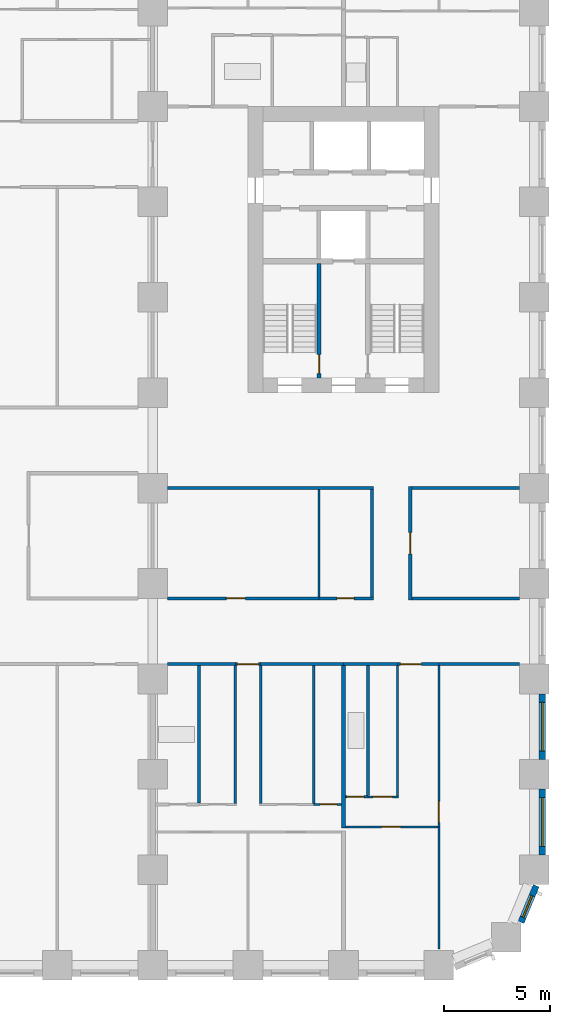
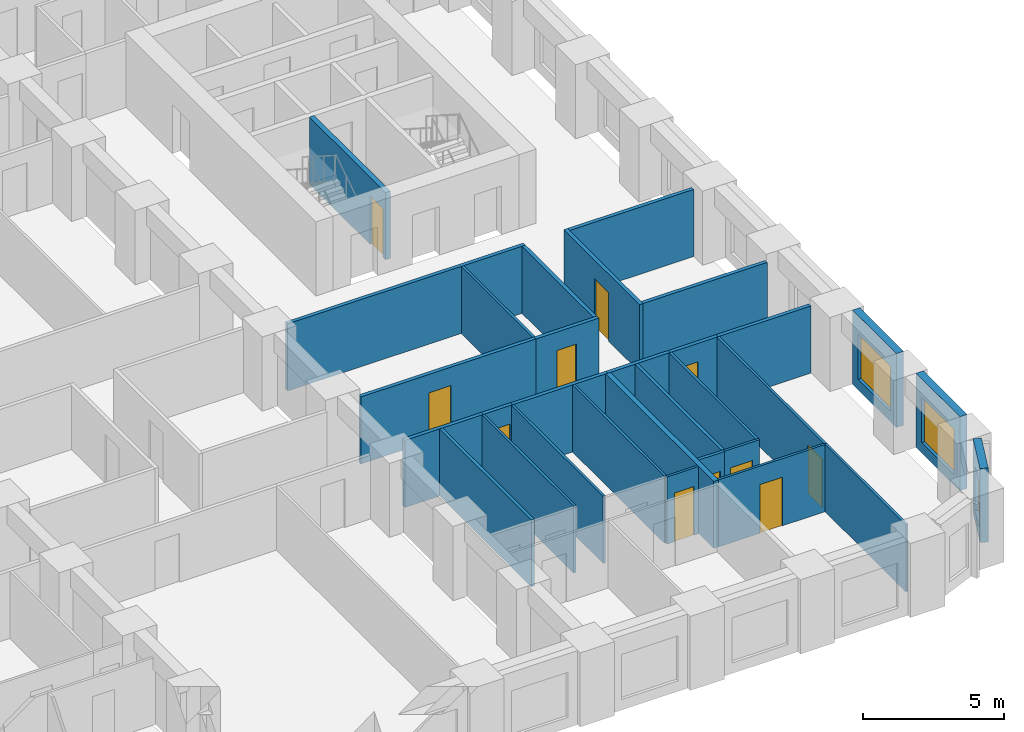
# One storey, part 5 of 13: 31 walls, 11 doors, 3 windows, 14 openings.
"""IFC4 building model written with IfcOpenShell, lengths in metres."""

from ifc_helpers import new_model, si_unit, direction, frame, frame_2d, origin, place, context, subcontext, project, spatial, rectangle, extrude, material, layer, layer_set, type_object, element, fill, save


model = new_model("IFC4")

# Units and contexts
model_context = context("Model", 3, precision=1e-05, world=origin(), true_north=direction((0.0, 1.0)))
body_context = subcontext(model_context, "Body", "Model", "MODEL_VIEW")
ifc_project = project(units=[si_unit("LENGTHUNIT", "METRE"), si_unit("AREAUNIT", "SQUARE_METRE"), si_unit("VOLUMEUNIT", "CUBIC_METRE"), si_unit("PLANEANGLEUNIT", "RADIAN"), si_unit("MASSUNIT", "GRAM", prefix="KILO")], contexts=[model_context])

# Site, building, storey
site_placement = place(None, origin())
site = spatial("IfcSite", under=ifc_project, at=site_placement, CompositionType="ELEMENT")
building_placement = place(site_placement, origin())
building = spatial("IfcBuilding", under=site, at=building_placement, Name="Girih Gate Residences", CompositionType="ELEMENT")
storey_placement = place(building_placement, frame((0.0, 0.0, 49.60009765625)))
storey = spatial("IfcBuildingStorey", under=building, at=storey_placement, Name="L12", CompositionType="ELEMENT", Elevation=49.60009765625)

# Wall
ifc_material_1 = material(Name="Gypsum board on steel studs", Category="steel")
ifc_layer_1 = layer(ifc_material_1, 0.14990234375)
ifc_layer_set_1 = layer_set([ifc_layer_1], Name="Compartment wall 150 mm")
wall_type_1 = type_object("IfcWallType", Name="Compartment wall 150 mm", PredefinedType="PARTITIONING", material=ifc_layer_set_1)
wall_1_placement = place(storey_placement, frame((40.5, 14.199951171875, 0.0), z_axis=(0.0, 0.0, 1.0), x_axis=(1.0, 0.0, 0.0)))
element("IfcWall", 1, at=wall_1_placement, inside=storey, type_object=wall_type_1, Name="L12 partition", PredefinedType="PARTITIONING", context=body_context, shape_type="SweptSolid", body=[
    extrude(rectangle(XDim=2.550048828125, YDim=0.14990234375, at=frame_2d((1.27490234375, 0.0))), origin(), (0.0, 0.0, 1.0), 2.89990234375),
])

# Wall, opening, door
wall_2_placement = place(storey_placement, frame((45.0, 14.199951171875, 0.0), z_axis=(0.0, 0.0, 1.0), x_axis=(-1.0, 0.0, 0.0)))
wall_2 = element("IfcWall", 2, at=wall_2_placement, inside=storey, type_object=wall_type_1, Name="L12 partition", PredefinedType="PARTITIONING", context=body_context, shape_type="SweptSolid", body=[
    extrude(rectangle(XDim=1.949951171875, YDim=0.14990234375, at=frame_2d((0.97509765625, 0.0))), origin(), (0.0, 0.0, 1.0), 2.89990234375),
])
opening_1_placement = place(wall_2_placement, frame((0.820068359375, 0.0, 0.0)))
opening_1 = element("IfcOpeningElement", 3, at=opening_1_placement, cuts=wall_2, Name="Opening A12-021", PredefinedType="OPENING", context=body_context, shape_type="SweptSolid", body=[
    extrude(rectangle(XDim=1.0, YDim=2.10009765625, at=frame_2d((0.5, 1.050048828125))), frame((0.0, 0.0849609375, 0.0), z_axis=(0.0, -1.0, 0.0), x_axis=(1.0, 0.0, 0.0)), (0.0, 0.0, 1.0), 0.169921875),
])
ifc_material_2 = material(Name="Timber, fire-rated core", Category="wood")
door_type_1 = type_object("IfcDoorType", Name="Flat entrance door 1000x2100 FD30S", OperationType="NOTDEFINED", PredefinedType="DOOR", material=ifc_material_2)
door_1_placement = place(opening_1_placement, origin())
door_1 = element("IfcDoor", 4, at=door_1_placement, inside=storey, type_object=door_type_1, Name="Door A12-021", OperationType="SINGLE_SWING_RIGHT", OverallHeight=2.10009765625, OverallWidth=1.0, PredefinedType="DOOR", context=body_context, shape_type="SweptSolid", body=[
    extrude(rectangle(XDim=1.0, YDim=2.10009765625, at=frame_2d((0.5, 1.050048828125))), frame((0.0, 0.02490234375, 0.0), z_axis=(0.0, -1.0, 0.0), x_axis=(1.0, 0.0, 0.0)), (0.0, 0.0, 1.0), 0.050048828125),
])
fill(opening_1, door_1)

# Walls
wall_3_placement = place(storey_placement, frame((45.0, 14.199951171875, 0.0), z_axis=(0.0, 0.0, 1.0), x_axis=(1.0, 0.0, 0.0)))
element("IfcWall", 5, at=wall_3_placement, inside=storey, type_object=wall_type_1, Name="L12 partition", PredefinedType="PARTITIONING", context=body_context, shape_type="SweptSolid", body=[
    extrude(rectangle(XDim=3.800048828125, YDim=0.14990234375, at=frame_2d((1.89990234375, 0.0))), origin(), (0.0, 0.0, 1.0), 2.89990234375),
])
wall_4_placement = place(storey_placement, frame((32.199951171875, 14.199951171875, 0.0), z_axis=(0.0, 0.0, 1.0), x_axis=(1.0, 0.0, 0.0)))
element("IfcWall", 6, at=wall_4_placement, inside=storey, type_object=wall_type_1, Name="L12 partition", PredefinedType="PARTITIONING", context=body_context, shape_type="SweptSolid", body=[
    extrude(rectangle(XDim=3.199951171875, YDim=0.14990234375, at=frame_2d((1.60009765625, 0.0))), origin(), (0.0, 0.0, 1.0), 2.89990234375),
])

# Wall, opening, door
wall_5_placement = place(storey_placement, frame((36.60009765625, 14.199951171875, 0.0), z_axis=(0.0, 0.0, 1.0), x_axis=(-1.0, 0.0, 0.0)))
wall_5 = element("IfcWall", 7, at=wall_5_placement, inside=storey, type_object=wall_type_1, Name="L12 partition", PredefinedType="PARTITIONING", context=body_context, shape_type="SweptSolid", body=[
    extrude(rectangle(XDim=1.2001953125, YDim=0.14990234375, at=frame_2d((0.60009765625, 0.0))), origin(), (0.0, 0.0, 1.0), 2.89990234375),
])
opening_2_placement = place(wall_5_placement, frame((0.10009765625, 0.0, 0.0)))
opening_2 = element("IfcOpeningElement", 8, at=opening_2_placement, cuts=wall_5, Name="Opening A12-028", PredefinedType="OPENING", context=body_context, shape_type="SweptSolid", body=[
    extrude(rectangle(XDim=1.0, YDim=2.10009765625, at=frame_2d((0.5, 1.050048828125))), frame((0.0, 0.0849609375, 0.0), z_axis=(0.0, -1.0, 0.0), x_axis=(1.0, 0.0, 0.0)), (0.0, 0.0, 1.0), 0.169921875),
])
door_2_placement = place(opening_2_placement, origin())
door_2 = element("IfcDoor", 9, at=door_2_placement, inside=storey, type_object=door_type_1, Name="Door A12-028", OperationType="SINGLE_SWING_RIGHT", OverallHeight=2.10009765625, OverallWidth=1.0, PredefinedType="DOOR", context=body_context, shape_type="SweptSolid", body=[
    extrude(rectangle(XDim=1.0, YDim=2.10009765625, at=frame_2d((0.5, 1.050048828125))), frame((0.0, 0.02490234375, 0.0), z_axis=(0.0, -1.0, 0.0), x_axis=(1.0, 0.0, 0.0)), (0.0, 0.0, 1.0), 0.050048828125),
])
fill(opening_2, door_2)

# Wall
wall_6_placement = place(storey_placement, frame((36.60009765625, 14.199951171875, 0.0), z_axis=(0.0, 0.0, 1.0), x_axis=(1.0, 0.0, 0.0)))
element("IfcWall", 10, at=wall_6_placement, inside=storey, type_object=wall_type_1, Name="L12 partition", PredefinedType="PARTITIONING", context=body_context, shape_type="SweptSolid", body=[
    extrude(rectangle(XDim=3.89990234375, YDim=0.14990234375, at=frame_2d((1.949951171875, 0.0))), origin(), (0.0, 0.0, 1.0), 2.89990234375),
])

# Wall, opening, door
wall_7_placement = place(storey_placement, frame((32.199951171875, 17.300048828125, 0.0), z_axis=(0.0, 0.0, 1.0), x_axis=(1.0, 0.0, 0.0)))
wall_7 = element("IfcWall", 11, at=wall_7_placement, inside=storey, type_object=wall_type_1, Name="L12 partition", PredefinedType="PARTITIONING", context=body_context, shape_type="SweptSolid", body=[
    extrude(rectangle(XDim=7.150146484375, YDim=0.14990234375, at=frame_2d((3.5751953125, 0.0))), origin(), (0.0, 0.0, 1.0), 2.89990234375),
])
opening_3_placement = place(wall_7_placement, frame((2.77490234375, 0.0, 0.0)))
opening_3 = element("IfcOpeningElement", 12, at=opening_3_placement, cuts=wall_7, Name="Opening A12-056", PredefinedType="OPENING", context=body_context, shape_type="SweptSolid", body=[
    extrude(rectangle(XDim=0.89990234375, YDim=2.10009765625, at=frame_2d((0.449951171875, 1.050048828125))), frame((0.0, 0.0849609375, 0.0), z_axis=(0.0, -1.0, 0.0), x_axis=(1.0, 0.0, 0.0)), (0.0, 0.0, 1.0), 0.169921875),
])
ifc_material_3 = material(Name="Timber", Category="wood")
door_type_2 = type_object("IfcDoorType", Name="Service room door 900x2100", OperationType="NOTDEFINED", PredefinedType="DOOR", material=ifc_material_3)
door_3_placement = place(opening_3_placement, origin())
door_3 = element("IfcDoor", 13, at=door_3_placement, inside=storey, type_object=door_type_2, Name="Door A12-056", OperationType="SINGLE_SWING_LEFT", OverallHeight=2.10009765625, OverallWidth=0.89990234375, PredefinedType="DOOR", context=body_context, shape_type="SweptSolid", body=[
    extrude(rectangle(XDim=0.89990234375, YDim=2.10009765625, at=frame_2d((0.449951171875, 1.050048828125))), frame((0.0, 0.02490234375, 0.0), z_axis=(0.0, -1.0, 0.0), x_axis=(1.0, 0.0, 0.0)), (0.0, 0.0, 1.0), 0.050048828125),
])
fill(opening_3, door_3)

wall_8_placement = place(storey_placement, frame((39.35009765625, 17.300048828125, 0.0), z_axis=(0.0, 0.0, 1.0), x_axis=(1.0, 0.0, 0.0)))
wall_8 = element("IfcWall", 14, at=wall_8_placement, inside=storey, type_object=wall_type_1, Name="L12 partition", PredefinedType="PARTITIONING", context=body_context, shape_type="SweptSolid", body=[
    extrude(rectangle(XDim=2.574951171875, YDim=0.14990234375, at=frame_2d((1.28759765625, 0.0))), origin(), (0.0, 0.0, 1.0), 2.89990234375),
])
opening_4_placement = place(wall_8_placement, frame((0.85009765625, 0.0, 0.0)))
opening_4 = element("IfcOpeningElement", 15, at=opening_4_placement, cuts=wall_8, Name="Opening A12-058", PredefinedType="OPENING", context=body_context, shape_type="SweptSolid", body=[
    extrude(rectangle(XDim=0.800048828125, YDim=2.10009765625, at=frame_2d((0.39990234375, 1.050048828125))), frame((0.0, 0.0849609375, 0.0), z_axis=(0.0, -1.0, 0.0), x_axis=(1.0, 0.0, 0.0)), (0.0, 0.0, 1.0), 0.169921875),
])
door_type_3 = type_object("IfcDoorType", Name="Bathroom door 800x2100", OperationType="NOTDEFINED", PredefinedType="DOOR", material=ifc_material_3)
door_4_placement = place(opening_4_placement, origin())
door_4 = element("IfcDoor", 16, at=door_4_placement, inside=storey, type_object=door_type_3, Name="Door A12-058", OperationType="SINGLE_SWING_LEFT", OverallHeight=2.10009765625, OverallWidth=0.800048828125, PredefinedType="DOOR", context=body_context, shape_type="SweptSolid", body=[
    extrude(rectangle(XDim=0.800048828125, YDim=2.10009765625, at=frame_2d((0.39990234375, 1.050048828125))), frame((0.0, 0.02490234375, 0.0), z_axis=(0.0, -1.0, 0.0), x_axis=(1.0, 0.0, 0.0)), (0.0, 0.0, 1.0), 0.050048828125),
])
fill(opening_4, door_4)

# Walls
wall_9_placement = place(storey_placement, frame((43.72509765625, 17.300048828125, 0.0), z_axis=(0.0, 0.0, 1.0), x_axis=(1.0, 0.0, 0.0)))
element("IfcWall", 17, at=wall_9_placement, inside=storey, type_object=wall_type_1, Name="L12 partition", PredefinedType="PARTITIONING", context=body_context, shape_type="SweptSolid", body=[
    extrude(rectangle(XDim=5.074951171875, YDim=0.14990234375, at=frame_2d((2.53759765625, 0.0))), origin(), (0.0, 0.0, 1.0), 2.89990234375),
])
wall_10_placement = place(storey_placement, frame((32.199951171875, 22.5, 0.0), z_axis=(0.0, 0.0, 1.0), x_axis=(1.0, 0.0, 0.0)))
element("IfcWall", 18, at=wall_10_placement, inside=storey, type_object=wall_type_1, Name="L12 partition", PredefinedType="PARTITIONING", context=body_context, shape_type="SweptSolid", body=[
    extrude(rectangle(XDim=9.72509765625, YDim=0.14990234375, at=frame_2d((4.862548828125, 0.0))), origin(), (0.0, 0.0, 1.0), 2.89990234375),
])
wall_11_placement = place(storey_placement, frame((43.72509765625, 22.5, 0.0), z_axis=(0.0, 0.0, 1.0), x_axis=(1.0, 0.0, 0.0)))
element("IfcWall", 19, at=wall_11_placement, inside=storey, type_object=wall_type_1, Name="L12 partition", PredefinedType="PARTITIONING", context=body_context, shape_type="SweptSolid", body=[
    extrude(rectangle(XDim=5.074951171875, YDim=0.14990234375, at=frame_2d((2.53759765625, 0.0))), origin(), (0.0, 0.0, 1.0), 2.89990234375),
])
wall_12_placement = place(storey_placement, frame((41.85009765625, 17.375, 0.0), z_axis=(0.0, 0.0, 1.0), x_axis=(0.0, 1.0, 0.0)))
element("IfcWall", 20, at=wall_12_placement, inside=storey, type_object=wall_type_1, Name="L12 partition", PredefinedType="PARTITIONING", context=body_context, shape_type="SweptSolid", body=[
    extrude(rectangle(XDim=5.050048828125, YDim=0.14990234375, at=frame_2d((2.52490234375, 0.0))), origin(), (0.0, 0.0, 1.0), 2.89990234375),
])

# Wall, opening, door
wall_13_placement = place(storey_placement, frame((43.64990234375, 22.574951171875, 0.0), z_axis=(0.0, 0.0, 1.0), x_axis=(0.0, -1.0, 0.0)))
wall_13 = element("IfcWall", 21, at=wall_13_placement, inside=storey, type_object=wall_type_1, Name="L12 partition", PredefinedType="PARTITIONING", context=body_context, shape_type="SweptSolid", body=[
    extrude(rectangle(XDim=5.349853515625, YDim=0.14990234375, at=frame_2d((2.6748046875, 0.0))), origin(), (0.0, 0.0, 1.0), 2.89990234375),
])
opening_5_placement = place(wall_13_placement, frame((2.175048828125, 0.0, 0.0)))
opening_5 = element("IfcOpeningElement", 22, at=opening_5_placement, cuts=wall_13, Name="Opening A12-060", PredefinedType="OPENING", context=body_context, shape_type="SweptSolid", body=[
    extrude(rectangle(XDim=1.0, YDim=2.10009765625, at=frame_2d((0.5, 1.050048828125))), frame((0.0, 0.0849609375, 0.0), z_axis=(0.0, -1.0, 0.0), x_axis=(1.0, 0.0, 0.0)), (0.0, 0.0, 1.0), 0.169921875),
])
door_type_4 = type_object("IfcDoorType", Name="Amenity room door 1000x2100 FD30S", OperationType="NOTDEFINED", PredefinedType="DOOR", material=ifc_material_2)
door_5_placement = place(opening_5_placement, origin())
door_5 = element("IfcDoor", 23, at=door_5_placement, inside=storey, type_object=door_type_4, Name="Door A12-060", OperationType="SINGLE_SWING_RIGHT", OverallHeight=2.10009765625, OverallWidth=1.0, PredefinedType="DOOR", context=body_context, shape_type="SweptSolid", body=[
    extrude(rectangle(XDim=1.0, YDim=2.10009765625, at=frame_2d((0.5, 1.050048828125))), frame((0.0, 0.02490234375, 0.0), z_axis=(0.0, -1.0, 0.0), x_axis=(1.0, 0.0, 0.0)), (0.0, 0.0, 1.0), 0.050048828125),
])
fill(opening_5, door_5)

ifc_layer_2 = layer(ifc_material_1, 0.10009765625)
ifc_layer_set_2 = layer_set([ifc_layer_2], Name="Partition 100 mm")
wall_type_2 = type_object("IfcWallType", Name="Partition 100 mm", PredefinedType="PARTITIONING", material=ifc_layer_set_2)
wall_14_placement = place(storey_placement, frame((44.949951171875, 6.52001953125, 0.0), z_axis=(0.0, 0.0, 1.0), x_axis=(-1.0, 0.0, 0.0)))
wall_14 = element("IfcWall", 24, at=wall_14_placement, inside=storey, type_object=wall_type_2, Name="L12 partition", PredefinedType="PARTITIONING", context=body_context, shape_type="SweptSolid", body=[
    extrude(rectangle(XDim=4.349853515625, YDim=0.10009765625, at=frame_2d((2.1748046875, 0.0))), origin(), (0.0, 0.0, 1.0), 2.89990234375),
])
opening_6_placement = place(wall_14_placement, frame((1.75, 0.0, 0.0)))
opening_6 = element("IfcOpeningElement", 25, at=opening_6_placement, cuts=wall_14, Name="Opening A12-018", PredefinedType="OPENING", context=body_context, shape_type="SweptSolid", body=[
    extrude(rectangle(XDim=0.89990234375, YDim=2.10009765625, at=frame_2d((0.449951171875, 1.050048828125))), frame((0.0, 0.06005859375, 0.0), z_axis=(0.0, -1.0, 0.0), x_axis=(1.0, 0.0, 0.0)), (0.0, 0.0, 1.0), 0.1201171875),
])
door_type_5 = type_object("IfcDoorType", Name="Bedroom door 900x2100", OperationType="NOTDEFINED", PredefinedType="DOOR", material=ifc_material_3)
door_6_placement = place(opening_6_placement, origin())
door_6 = element("IfcDoor", 26, at=door_6_placement, inside=storey, type_object=door_type_5, Name="Door A12-018", OperationType="SINGLE_SWING_RIGHT", OverallHeight=2.10009765625, OverallWidth=0.89990234375, PredefinedType="DOOR", context=body_context, shape_type="SweptSolid", body=[
    extrude(rectangle(XDim=0.89990234375, YDim=2.10009765625, at=frame_2d((0.449951171875, 1.050048828125))), frame((0.0, 0.02490234375, 0.0), z_axis=(0.0, -1.0, 0.0), x_axis=(1.0, 0.0, 0.0)), (0.0, 0.0, 1.0), 0.050048828125),
])
fill(opening_6, door_6)

# Wall
wall_15_placement = place(storey_placement, frame((45.0, 0.757568359375, 0.0), z_axis=(0.0, 0.0, 1.0), x_axis=(0.0, 1.0, 0.0)))
element("IfcWall", 27, at=wall_15_placement, inside=storey, type_object=wall_type_2, Name="L12 partition", PredefinedType="PARTITIONING", context=body_context, shape_type="SweptSolid", body=[
    extrude(rectangle(XDim=5.762451171875, YDim=0.10009765625, at=frame_2d((2.88134765625, 0.0))), origin(), (0.0, 0.0, 1.0), 2.89990234375),
])

# Wall, opening, door
wall_16_placement = place(storey_placement, frame((41.6591796875, 7.93994140625, 0.0), z_axis=(0.0, 0.0, 1.0), x_axis=(1.0, 0.0, 0.0)))
wall_16 = element("IfcWall", 28, at=wall_16_placement, inside=storey, type_object=wall_type_2, Name="L12 partition", PredefinedType="PARTITIONING", context=body_context, shape_type="SweptSolid", body=[
    extrude(rectangle(XDim=1.44091796875, YDim=0.10009765625, at=frame_2d((0.720458984375, 0.0))), origin(), (0.0, 0.0, 1.0), 2.89990234375),
])
opening_7_placement = place(wall_16_placement, frame((0.24560546875, 0.0, 0.0)))
opening_7 = element("IfcOpeningElement", 29, at=opening_7_placement, cuts=wall_16, Name="Opening A12-019", PredefinedType="OPENING", context=body_context, shape_type="SweptSolid", body=[
    extrude(rectangle(XDim=0.89990234375, YDim=2.10009765625, at=frame_2d((0.449951171875, 1.050048828125))), frame((0.0, 0.06005859375, 0.0), z_axis=(0.0, -1.0, 0.0), x_axis=(1.0, 0.0, 0.0)), (0.0, 0.0, 1.0), 0.1201171875),
])
door_type_6 = type_object("IfcDoorType", Name="Kitchen door 900x2100", OperationType="NOTDEFINED", PredefinedType="DOOR", material=ifc_material_3)
door_7_placement = place(opening_7_placement, origin())
door_7 = element("IfcDoor", 30, at=door_7_placement, inside=storey, type_object=door_type_6, Name="Door A12-019", OperationType="SINGLE_SWING_LEFT", OverallHeight=2.10009765625, OverallWidth=0.89990234375, PredefinedType="DOOR", context=body_context, shape_type="SweptSolid", body=[
    extrude(rectangle(XDim=0.89990234375, YDim=2.10009765625, at=frame_2d((0.449951171875, 1.050048828125))), frame((0.0, 0.02490234375, 0.0), z_axis=(0.0, -1.0, 0.0), x_axis=(1.0, 0.0, 0.0)), (0.0, 0.0, 1.0), 0.050048828125),
])
fill(opening_7, door_7)

# Wall
wall_17_placement = place(storey_placement, frame((43.050048828125, 7.989990234375, 0.0), z_axis=(0.0, 0.0, 1.0), x_axis=(0.0, 1.0, 0.0)))
element("IfcWall", 31, at=wall_17_placement, inside=storey, type_object=wall_type_2, Name="L12 partition", PredefinedType="PARTITIONING", context=body_context, shape_type="SweptSolid", body=[
    extrude(rectangle(XDim=6.135009765625, YDim=0.10009765625, at=frame_2d((3.0673828125, 0.0))), origin(), (0.0, 0.0, 1.0), 2.89990234375),
])

# Wall, opening, door
wall_18_placement = place(storey_placement, frame((45.0, 14.125, 0.0), z_axis=(0.0, 0.0, 1.0), x_axis=(0.0, -1.0, 0.0)))
wall_18 = element("IfcWall", 32, at=wall_18_placement, inside=storey, type_object=wall_type_2, Name="L12 partition", PredefinedType="PARTITIONING", context=body_context, shape_type="SweptSolid", body=[
    extrude(rectangle(XDim=7.60498046875, YDim=0.10009765625, at=frame_2d((3.802490234375, 0.0))), origin(), (0.0, 0.0, 1.0), 2.89990234375),
])
opening_8_placement = place(wall_18_placement, frame((6.39501953125, 0.0, 0.0)))
opening_8 = element("IfcOpeningElement", 33, at=opening_8_placement, cuts=wall_18, Name="Opening A12-020", PredefinedType="OPENING", context=body_context, shape_type="SweptSolid", body=[
    extrude(rectangle(XDim=1.0, YDim=2.10009765625, at=frame_2d((0.5, 1.050048828125))), frame((0.0, 0.06005859375, 0.0), z_axis=(0.0, -1.0, 0.0), x_axis=(1.0, 0.0, 0.0)), (0.0, 0.0, 1.0), 0.1201171875),
])
door_type_7 = type_object("IfcDoorType", Name="Living room door 1000x2100", OperationType="NOTDEFINED", PredefinedType="DOOR", material=ifc_material_3)
door_8_placement = place(opening_8_placement, origin())
door_8 = element("IfcDoor", 34, at=door_8_placement, inside=storey, type_object=door_type_7, Name="Door A12-020", OperationType="SINGLE_SWING_RIGHT", OverallHeight=2.10009765625, OverallWidth=1.0, PredefinedType="DOOR", context=body_context, shape_type="SweptSolid", body=[
    extrude(rectangle(XDim=1.0, YDim=2.10009765625, at=frame_2d((0.5, 1.050048828125))), frame((0.0, 0.02490234375, 0.0), z_axis=(0.0, -1.0, 0.0), x_axis=(1.0, 0.0, 0.0)), (0.0, 0.0, 1.0), 0.050048828125),
])
fill(opening_8, door_8)

# Wall
wall_19_placement = place(storey_placement, frame((36.60009765625, 7.6298828125, 0.0), z_axis=(0.0, 0.0, 1.0), x_axis=(0.0, 1.0, 0.0)))
element("IfcWall", 35, at=wall_19_placement, inside=storey, type_object=wall_type_2, Name="L12 partition", PredefinedType="PARTITIONING", context=body_context, shape_type="SweptSolid", body=[
    extrude(rectangle(XDim=6.4951171875, YDim=0.10009765625, at=frame_2d((3.24755859375, 0.0))), origin(), (0.0, 0.0, 1.0), 2.89990234375),
])

# Wall, opening, door
wall_20_placement = place(storey_placement, frame((39.099365234375, 7.580078125, 0.0), z_axis=(0.0, 0.0, 1.0), x_axis=(1.0, 0.0, 0.0)))
wall_20 = element("IfcWall", 36, at=wall_20_placement, inside=storey, type_object=wall_type_2, Name="L12 partition", PredefinedType="PARTITIONING", context=body_context, shape_type="SweptSolid", body=[
    extrude(rectangle(XDim=1.300537109375, YDim=0.10009765625, at=frame_2d((0.650390625, 0.0))), origin(), (0.0, 0.0, 1.0), 2.89990234375),
])
opening_9_placement = place(wall_20_placement, frame((0.30029296875, 0.0, 0.0)))
opening_9 = element("IfcOpeningElement", 37, at=opening_9_placement, cuts=wall_20, Name="Opening A12-026", PredefinedType="OPENING", context=body_context, shape_type="SweptSolid", body=[
    extrude(rectangle(XDim=0.800048828125, YDim=2.10009765625, at=frame_2d((0.39990234375, 1.050048828125))), frame((0.0, 0.06005859375, 0.0), z_axis=(0.0, -1.0, 0.0), x_axis=(1.0, 0.0, 0.0)), (0.0, 0.0, 1.0), 0.1201171875),
])
door_type_8 = type_object("IfcDoorType", Name="Store door 800x2100", OperationType="NOTDEFINED", PredefinedType="DOOR", material=ifc_material_3)
door_9_placement = place(opening_9_placement, origin())
door_9 = element("IfcDoor", 38, at=door_9_placement, inside=storey, type_object=door_type_8, Name="Door A12-026", OperationType="SINGLE_SWING_RIGHT", OverallHeight=2.10009765625, OverallWidth=0.800048828125, PredefinedType="DOOR", context=body_context, shape_type="SweptSolid", body=[
    extrude(rectangle(XDim=0.800048828125, YDim=2.10009765625, at=frame_2d((0.39990234375, 1.050048828125))), frame((0.0, 0.02490234375, 0.0), z_axis=(0.0, -1.0, 0.0), x_axis=(1.0, 0.0, 0.0)), (0.0, 0.0, 1.0), 0.050048828125),
])
fill(opening_9, door_9)

# Walls
for number, where, z_axis, x_axis, name in (
    (39, (35.39990234375, 7.6298828125, 0.0), (0.0, 0.0, 1.0), (0.0, 1.0, 0.0), "L12 partition"),
    (40, (39.09912109375, 7.6298828125, 0.0), (0.0, 0.0, 1.0), (0.0, 1.0, 0.0), "L12 partition"),
):
    element("IfcWall", number, at=place(storey_placement, frame(where, z_axis=z_axis, x_axis=x_axis)), inside=storey, type_object=wall_type_2, Name=name, PredefinedType="PARTITIONING", context=body_context, shape_type="SweptSolid", body=[
        extrude(rectangle(XDim=6.4951171875, YDim=0.10009765625, at=frame_2d((3.24755859375, 0.0))), origin(), (0.0, 0.0, 1.0), 2.89990234375),
    ])
wall_21_placement = place(storey_placement, frame((39.35009765625, 17.375, 0.0), z_axis=(0.0, 0.0, 1.0), x_axis=(0.0, 1.0, 0.0)))
element("IfcWall", 41, at=wall_21_placement, inside=storey, type_object=wall_type_2, Name="L12 partition", PredefinedType="PARTITIONING", context=body_context, shape_type="SweptSolid", body=[
    extrude(rectangle(XDim=5.050048828125, YDim=0.10009765625, at=frame_2d((2.52490234375, 0.0))), origin(), (0.0, 0.0, 1.0), 2.89990234375),
])
ifc_layer_3 = layer(ifc_material_1, 0.199951171875)
ifc_layer_set_3 = layer_set([ifc_layer_3], Name="Party wall 200 mm")
wall_type_3 = type_object("IfcWallType", Name="Party wall 200 mm", PredefinedType="PARTITIONING", material=ifc_layer_set_3)
wall_22_placement = place(storey_placement, frame((40.5, 6.469970703125, 0.0), z_axis=(0.0, 0.0, 1.0), x_axis=(0.0, 1.0, 0.0)))
element("IfcWall", 42, at=wall_22_placement, inside=storey, type_object=wall_type_3, Name="L12 partition", PredefinedType="PARTITIONING", context=body_context, shape_type="SweptSolid", body=[
    extrude(rectangle(XDim=7.655029296875, YDim=0.199951171875, at=frame_2d((3.82763671875, 0.0))), origin(), (0.0, 0.0, 1.0), 2.89990234375),
])

# Wall, opening, window
ifc_material_4 = material(Name="Precast concrete C50/60", Category="concrete")
ifc_layer_4 = layer(ifc_material_4, 0.080078125, Name="Outer leaf")
ifc_material_5 = material(Name="Rigid PIR insulation")
ifc_layer_5 = layer(ifc_material_5, 0.14990234375, Name="Insulation")
ifc_material_6 = material(Name="Precast concrete C40/50", Category="concrete")
ifc_layer_6 = layer(ifc_material_6, 0.070068359375, Name="Inner leaf")
ifc_layer_set_4 = layer_set([ifc_layer_4, ifc_layer_5, ifc_layer_6], Name="Precast concrete C50/60 external wall 300")
wall_type_4 = type_object("IfcWallType", Name="Precast concrete C50/60 external wall 300", PredefinedType="SOLIDWALL", material=ifc_layer_set_4)
wall_23_placement = place(storey_placement, frame((49.59228515625, 3.74267578125, 0.0), z_axis=(0.0, 0.0, 1.0), x_axis=(-0.382737135771, -0.923857286003, 0.0)))
wall_23 = element("IfcWall", 43, at=wall_23_placement, inside=storey, type_object=wall_type_4, Name="External wall SE0482_0013.0", PredefinedType="SOLIDWALL", context=body_context, shape_type="SweptSolid", body=[
    extrude(rectangle(XDim=1.865234375, YDim=0.300048828125, at=frame_2d((0.9326171875, 0.0))), origin(), (0.0, 0.0, 1.0), 3.199951171875),
])
opening_10_placement = place(wall_23_placement, frame((0.507568359375, 0.0, 0.449951171875)))
opening_10 = element("IfcOpeningElement", 44, at=opening_10_placement, cuts=wall_23, Name="Opening W-2C", PredefinedType="OPENING", context=body_context, shape_type="SweptSolid", body=[
    extrude(rectangle(XDim=1.10009765625, YDim=1.949951171875, at=frame_2d((0.550048828125, 0.97509765625))), frame((0.0, 0.159912109375, 0.0), z_axis=(0.0, -1.0, 0.0), x_axis=(1.0, 0.0, 0.0)), (0.0, 0.0, 1.0), 0.320068359375),
])
ifc_material_7 = material(Name="Double glazing in aluminium frame", Category="aluminium")
window_type_1 = type_object("IfcWindowType", Name="Window W-2C 1100x1950", PartitioningType="SINGLE_PANEL", PredefinedType="WINDOW", material=ifc_material_7)
window_1_placement = place(opening_10_placement, origin())
window_1 = element("IfcWindow", 45, at=window_1_placement, inside=storey, type_object=window_type_1, Name="Window W-2C SE0482_0013.0", OverallHeight=1.949951171875, OverallWidth=1.10009765625, PartitioningType="SINGLE_PANEL", PredefinedType="WINDOW", context=body_context, shape_type="SweptSolid", body=[
    extrude(rectangle(XDim=1.10009765625, YDim=1.949951171875, at=frame_2d((0.550048828125, 0.97509765625))), frame((0.0, 0.030029296875, 0.0), z_axis=(0.0, -1.0, 0.0), x_axis=(1.0, 0.0, 0.0)), (0.0, 0.0, 1.0), 0.06005859375),
])
fill(opening_10, window_1)

wall_24_placement = place(storey_placement, frame((49.875, 8.300048828125, 0.0), z_axis=(0.0, 0.0, 1.0), x_axis=(0.0, -1.0, 0.0)))
wall_24 = element("IfcWall", 46, at=wall_24_placement, inside=storey, type_object=wall_type_4, Name="External wall E0495_0045.0", PredefinedType="SOLIDWALL", context=body_context, shape_type="SweptSolid", body=[
    extrude(rectangle(XDim=3.10009765625, YDim=0.300048828125, at=frame_2d((1.550048828125, 0.0))), origin(), (0.0, 0.0, 1.0), 3.199951171875),
])
opening_11_placement = place(wall_24_placement, frame((0.39990234375, 0.0, 0.449951171875)))
opening_11 = element("IfcOpeningElement", 47, at=opening_11_placement, cuts=wall_24, Name="Opening W-1", PredefinedType="OPENING", context=body_context, shape_type="SweptSolid", body=[
    extrude(rectangle(XDim=2.300048828125, YDim=1.949951171875, at=frame_2d((1.14990234375, 0.97509765625))), frame((0.0, 0.159912109375, 0.0), z_axis=(0.0, -1.0, 0.0), x_axis=(1.0, 0.0, 0.0)), (0.0, 0.0, 1.0), 0.320068359375),
])
window_type_2 = type_object("IfcWindowType", Name="Window W-1 2300x1950", PartitioningType="SINGLE_PANEL", PredefinedType="WINDOW", material=ifc_material_7)
window_2_placement = place(opening_11_placement, origin())
window_2 = element("IfcWindow", 48, at=window_2_placement, inside=storey, type_object=window_type_2, Name="Window W-1 E0495_0045.0", OverallHeight=1.949951171875, OverallWidth=2.300048828125, PartitioningType="SINGLE_PANEL", PredefinedType="WINDOW", context=body_context, shape_type="SweptSolid", body=[
    extrude(rectangle(XDim=2.300048828125, YDim=1.949951171875, at=frame_2d((1.14990234375, 0.97509765625))), frame((0.0, 0.030029296875, 0.0), z_axis=(0.0, -1.0, 0.0), x_axis=(1.0, 0.0, 0.0)), (0.0, 0.0, 1.0), 0.06005859375),
])
fill(opening_11, window_2)

wall_25_placement = place(storey_placement, frame((49.875, 12.800048828125, 0.0), z_axis=(0.0, 0.0, 1.0), x_axis=(0.0, -1.0, 0.0)))
wall_25 = element("IfcWall", 49, at=wall_25_placement, inside=storey, type_object=wall_type_4, Name="External wall E0495_0045.1", PredefinedType="SOLIDWALL", context=body_context, shape_type="SweptSolid", body=[
    extrude(rectangle(XDim=3.10009765625, YDim=0.300048828125, at=frame_2d((1.550048828125, 0.0))), origin(), (0.0, 0.0, 1.0), 3.199951171875),
])
opening_12_placement = place(wall_25_placement, frame((0.39990234375, 0.0, 0.449951171875)))
opening_12 = element("IfcOpeningElement", 50, at=opening_12_placement, cuts=wall_25, Name="Opening W-1", PredefinedType="OPENING", context=body_context, shape_type="SweptSolid", body=[
    extrude(rectangle(XDim=2.300048828125, YDim=1.949951171875, at=frame_2d((1.14990234375, 0.97509765625))), frame((0.0, 0.159912109375, 0.0), z_axis=(0.0, -1.0, 0.0), x_axis=(1.0, 0.0, 0.0)), (0.0, 0.0, 1.0), 0.320068359375),
])
window_3_placement = place(opening_12_placement, origin())
window_3 = element("IfcWindow", 51, at=window_3_placement, inside=storey, type_object=window_type_2, Name="Window W-1 E0495_0045.1", OverallHeight=1.949951171875, OverallWidth=2.300048828125, PartitioningType="SINGLE_PANEL", PredefinedType="WINDOW", context=body_context, shape_type="SweptSolid", body=[
    extrude(rectangle(XDim=2.300048828125, YDim=1.949951171875, at=frame_2d((1.14990234375, 0.97509765625))), frame((0.0, 0.030029296875, 0.0), z_axis=(0.0, -1.0, 0.0), x_axis=(1.0, 0.0, 0.0)), (0.0, 0.0, 1.0), 0.06005859375),
])
fill(opening_12, window_3)

# Wall, opening, door
ifc_material_8 = material(Name="Concrete C40/50", Category="concrete")
ifc_layer_7 = layer(ifc_material_8, 0.199951171875)
ifc_layer_set_5 = layer_set([ifc_layer_7], Name="Shaft wall 200")
wall_type_5 = type_object("IfcWallType", Name="Shaft wall 200", PredefinedType="SOLIDWALL", material=ifc_layer_set_5)
wall_26_placement = place(storey_placement, frame((39.35009765625, 27.699951171875, 0.0), z_axis=(0.0, 0.0, 1.0), x_axis=(0.0, 1.0, 0.0)))
wall_26 = element("IfcWall", 52, at=wall_26_placement, inside=storey, type_object=wall_type_5, Name="L12 E core wall V2a", PredefinedType="SOLIDWALL", context=body_context, shape_type="SweptSolid", body=[
    extrude(rectangle(XDim=5.400146484375, YDim=0.199951171875, at=frame_2d((2.7001953125, 0.0))), origin(), (0.0, 0.0, 1.0), 2.89990234375),
])
opening_13_placement = place(wall_26_placement, frame((0.199951171875, 0.0, 0.0)))
opening_13 = element("IfcOpeningElement", 53, at=opening_13_placement, cuts=wall_26, Name="Opening D-L12-E-002", PredefinedType="OPENING", context=body_context, shape_type="SweptSolid", body=[
    extrude(rectangle(XDim=0.89990234375, YDim=2.10009765625, at=frame_2d((0.449951171875, 1.050048828125))), frame((0.0, 0.10986328125, 0.0), z_axis=(0.0, -1.0, 0.0), x_axis=(1.0, 0.0, 0.0)), (0.0, 0.0, 1.0), 0.219970703125),
])
ifc_material_9 = material(Name="Painted steel, fire-resisting", Category="steel")
door_type_9 = type_object("IfcDoorType", Name="Fire door 900x2100", OperationType="SINGLE_SWING_LEFT", PredefinedType="DOOR", material=ifc_material_9)
door_10_placement = place(opening_13_placement, origin())
door_10 = element("IfcDoor", 54, at=door_10_placement, inside=storey, type_object=door_type_9, Name="L12 E door stair 2 to firefighting lobby", OperationType="SINGLE_SWING_LEFT", OverallHeight=2.10009765625, OverallWidth=0.89990234375, PredefinedType="DOOR", context=body_context, shape_type="SweptSolid", body=[
    extrude(rectangle(XDim=0.89990234375, YDim=2.10009765625, at=frame_2d((0.449951171875, 1.050048828125))), frame((0.0, 0.02490234375, 0.0), z_axis=(0.0, -1.0, 0.0), x_axis=(1.0, 0.0, 0.0)), (0.0, 0.0, 1.0), 0.050048828125),
])
fill(opening_13, door_10)

ifc_layer_8 = layer(ifc_material_1, 0.125)
ifc_layer_set_6 = layer_set([ifc_layer_8], Name="Wet room wall 125 mm")
wall_type_6 = type_object("IfcWallType", Name="Wet room wall 125 mm", PredefinedType="PARTITIONING", material=ifc_layer_set_6)
wall_27_placement = place(storey_placement, frame((40.60009765625, 7.93994140625, 0.0), z_axis=(0.0, 0.0, 1.0), x_axis=(1.0, 0.0, 0.0)))
wall_27 = element("IfcWall", 55, at=wall_27_placement, inside=storey, type_object=wall_type_6, Name="L12 partition", PredefinedType="PARTITIONING", context=body_context, shape_type="SweptSolid", body=[
    extrude(rectangle(XDim=1.05908203125, YDim=0.125, at=frame_2d((0.529541015625, 0.0))), origin(), (0.0, 0.0, 1.0), 2.89990234375),
])
opening_14_placement = place(wall_27_placement, frame((0.07958984375, 0.0, 0.0)))
opening_14 = element("IfcOpeningElement", 56, at=opening_14_placement, cuts=wall_27, Name="Opening A12-017", PredefinedType="OPENING", context=body_context, shape_type="SweptSolid", body=[
    extrude(rectangle(XDim=0.800048828125, YDim=2.10009765625, at=frame_2d((0.39990234375, 1.050048828125))), frame((0.0, 0.072509765625, 0.0), z_axis=(0.0, -1.0, 0.0), x_axis=(1.0, 0.0, 0.0)), (0.0, 0.0, 1.0), 0.14501953125),
])
door_11_placement = place(opening_14_placement, origin())
door_11 = element("IfcDoor", 57, at=door_11_placement, inside=storey, type_object=door_type_3, Name="Door A12-017", OperationType="SINGLE_SWING_LEFT", OverallHeight=2.10009765625, OverallWidth=0.800048828125, PredefinedType="DOOR", context=body_context, shape_type="SweptSolid", body=[
    extrude(rectangle(XDim=0.800048828125, YDim=2.10009765625, at=frame_2d((0.39990234375, 1.050048828125))), frame((0.0, 0.02490234375, 0.0), z_axis=(0.0, -1.0, 0.0), x_axis=(1.0, 0.0, 0.0)), (0.0, 0.0, 1.0), 0.050048828125),
])
fill(opening_14, door_11)

# Walls
wall_28_placement = place(storey_placement, frame((41.658935546875, 8.00244140625, 0.0), z_axis=(0.0, 0.0, 1.0), x_axis=(0.0, 1.0, 0.0)))
element("IfcWall", 58, at=wall_28_placement, inside=storey, type_object=wall_type_6, Name="L12 partition", PredefinedType="PARTITIONING", context=body_context, shape_type="SweptSolid", body=[
    extrude(rectangle(XDim=6.12255859375, YDim=0.125, at=frame_2d((3.061279296875, 0.0))), origin(), (0.0, 0.0, 1.0), 2.89990234375),
])
wall_29_placement = place(storey_placement, frame((33.68408203125, 7.642578125, 0.0), z_axis=(0.0, 0.0, 1.0), x_axis=(0.0, 1.0, 0.0)))
element("IfcWall", 59, at=wall_29_placement, inside=storey, type_object=wall_type_6, Name="L12 partition", PredefinedType="PARTITIONING", context=body_context, shape_type="SweptSolid", body=[
    extrude(rectangle(XDim=6.482421875, YDim=0.125, at=frame_2d((3.2412109375, 0.0))), origin(), (0.0, 0.0, 1.0), 2.89990234375),
])

save(model, "model.ifc")
